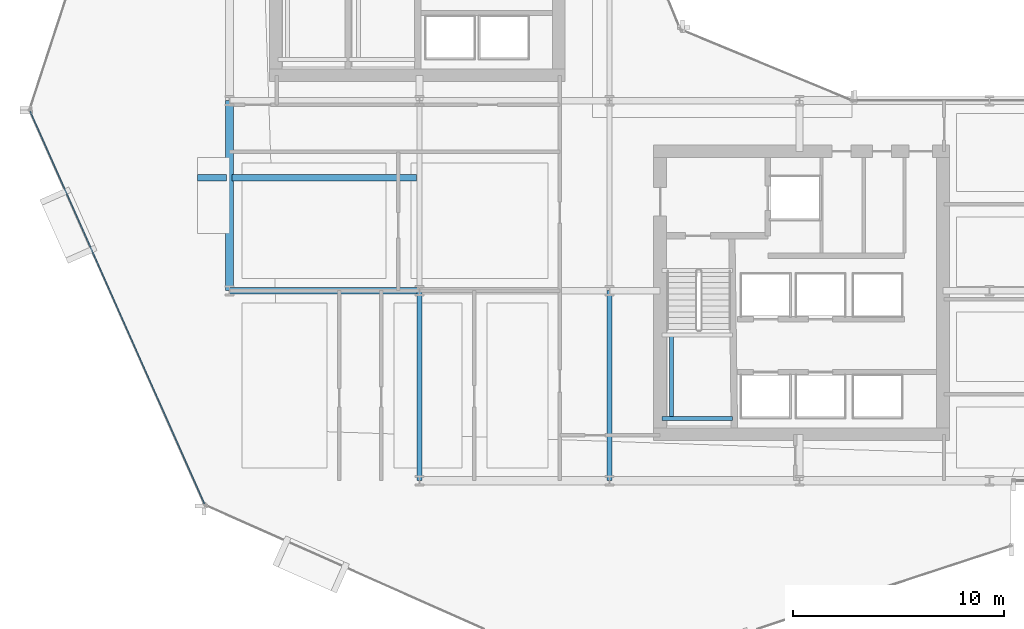
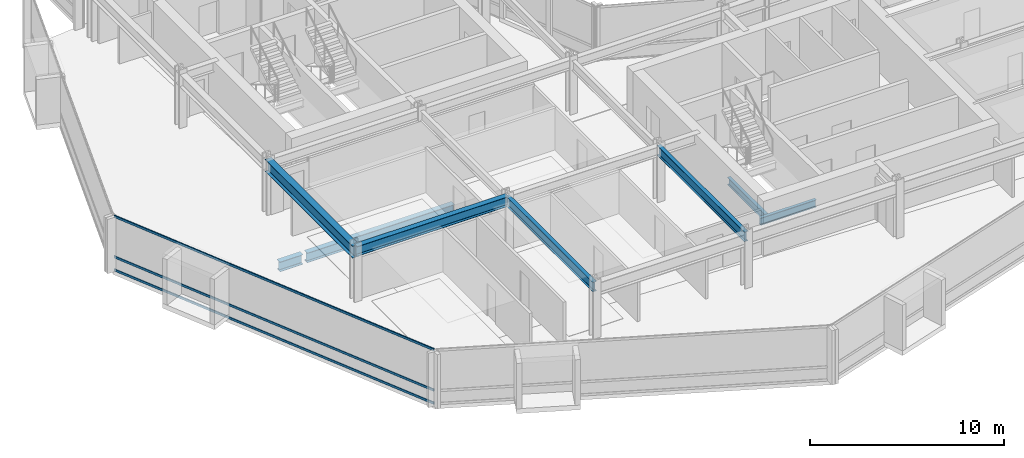
# One storey, part 5 of 34: 8 beams, 3 members, 1 element without a shape of its own.
"""IFC4 building model written with IfcOpenShell, lengths in metres."""

from ifc_helpers import new_model, si_unit, direction, frame, origin, origin_2d, place, context, subcontext, project, spatial, hollow_rectangle, i_section, extrude, material, layer, layer_set, material_profile, profile_set, type_object, element, aggregate, save


model = new_model("IFC4")

# Units and contexts
model_context = context("Model", 3, precision=1e-05, world=origin(), true_north=direction((0.0, 1.0)))
body_context = subcontext(model_context, "Body", "Model", "MODEL_VIEW")
ifc_project = project(units=[si_unit("LENGTHUNIT", "METRE"), si_unit("AREAUNIT", "SQUARE_METRE"), si_unit("VOLUMEUNIT", "CUBIC_METRE"), si_unit("PLANEANGLEUNIT", "RADIAN"), si_unit("MASSUNIT", "GRAM", prefix="KILO")], contexts=[model_context])

# Site, building, storey
site_placement = place(None, origin())
site = spatial("IfcSite", under=ifc_project, at=site_placement, CompositionType="ELEMENT")
building_placement = place(site_placement, origin())
building = spatial("IfcBuilding", under=site, at=building_placement, Name="Solvaryn Broadcast Tower", CompositionType="ELEMENT")
storey_placement = place(building_placement, frame((0.0, 0.0, 50.800048828125)))
storey = spatial("IfcBuildingStorey", under=building, at=storey_placement, Name="L11", CompositionType="ELEMENT", Elevation=50.800048828125)

# Beams
ifc_material_1 = material(Name="Steel ASTM A992 Grade 50", Category="steel")
ifc_material_profile_1 = material_profile(ifc_material_1, i_section(OverallWidth=0.323974609375, OverallDepth=0.611083984375, WebThickness=0.0126953125, FlangeThickness=0.01904296875, FilletRadius=0.014892578125, at=origin_2d()))
ifc_profile_set_1 = profile_set([ifc_material_profile_1], Name="Steel ASTM A992 Grade 50")
beam_type_1 = type_object("IfcBeamType", Name="BM-B1-W24X104", PredefinedType="BEAM", material=ifc_profile_set_1)
beam_1_placement = place(storey_placement, frame((17.875, 23.35009765625, -0.58544921875), z_axis=(-1.0, 0.0, 0.0), x_axis=(0.0, -1.0, 0.0)))
element("IfcBeam", 1, at=beam_1_placement, inside=storey, type_object=beam_type_1, Name="L11 Bay-Box Back-Span Beam 1", PredefinedType="BEAM", context=body_context, shape_type="SweptSolid", body=[
    extrude(i_section(OverallWidth=0.323974609375, OverallDepth=0.611083984375, WebThickness=0.0126953125, FlangeThickness=0.01904296875, FilletRadius=0.014892578125, at=origin_2d()), origin(), (0.0, 0.0, 1.0), 8.75),
])
beam_2_placement = place(storey_placement, frame((9.0, 18.0, 3.114501953125), z_axis=(1.0, 0.0, 0.0), x_axis=(0.0, 1.0, 0.0)))
element("IfcBeam", 2, at=beam_2_placement, inside=storey, type_object=beam_type_1, Name="L11 Primary Beam X (9-18 @ Y=18)", PredefinedType="BEAM", context=body_context, shape_type="SweptSolid", body=[
    extrude(i_section(OverallWidth=0.323974609375, OverallDepth=0.611083984375, WebThickness=0.0126953125, FlangeThickness=0.01904296875, FilletRadius=0.014892578125, at=origin_2d()), origin(), (0.0, 0.0, 1.0), 9.0),
])
ifc_material_2 = material(Name="Steel ASTM A992 Grade 50", Category="steel")
ifc_material_profile_2 = material_profile(ifc_material_2, i_section(OverallWidth=0.22802734375, OverallDepth=0.60791015625, WebThickness=0.01123046875, FlangeThickness=0.017333984375, FilletRadius=0.014892578125, at=origin_2d()))
ifc_profile_set_2 = profile_set([ifc_material_profile_2], Name="Steel ASTM A992 Grade 50")
beam_type_2 = type_object("IfcBeamType", Name="BM-B2-W24X76", PredefinedType="BEAM", material=ifc_profile_set_2)
for number, where, z_axis, x_axis, name in (
    (3, (18.0, 9.0, 3.115966796875), (0.0, 1.0, 0.0), (-1.0, 0.0, 0.0), "L11 Primary Beam Y (9-18 @ X=18)"),
    (4, (27.0, 9.0, 3.115966796875), (0.0, 1.0, 0.0), (-1.0, 0.0, 0.0), "L11 Primary Beam Y (9-18 @ X=27)"),
):
    element("IfcBeam", number, at=place(storey_placement, frame(where, z_axis=z_axis, x_axis=x_axis)), inside=storey, type_object=beam_type_2, Name=name, PredefinedType="BEAM", context=body_context, shape_type="SweptSolid", body=[
        extrude(i_section(OverallWidth=0.22802734375, OverallDepth=0.60791015625, WebThickness=0.01123046875, FlangeThickness=0.017333984375, FilletRadius=0.014892578125, at=origin_2d()), origin(), (0.0, 0.0, 1.0), 9.0),
    ])
ifc_material_3 = material(Name="Steel ASTM A992 Grade 50", Category="steel")
ifc_material_profile_3 = material_profile(ifc_material_3, i_section(OverallWidth=0.18994140625, OverallDepth=0.45703125, WebThickness=0.009033203125, FlangeThickness=0.014404296875, FilletRadius=0.011962890625, at=origin_2d()))
ifc_profile_set_3 = profile_set([ifc_material_profile_3], Name="Steel ASTM A992 Grade 50")
beam_type_3 = type_object("IfcBeamType", Name="BM-B4-W18X50", PredefinedType="BEAM", material=ifc_profile_set_3)
beam_3_placement = place(storey_placement, frame((29.5, 11.949951171875, 1.42138671875), z_axis=(1.0, 0.0, 0.0), x_axis=(0.0, 1.0, 0.0)))
element("IfcBeam", 5, at=beam_3_placement, inside=storey, type_object=beam_type_3, Name="L11 ST3 Landing Support Beam 1A", PredefinedType="BEAM", context=body_context, shape_type="SweptSolid", body=[
    extrude(i_section(OverallWidth=0.18994140625, OverallDepth=0.45703125, WebThickness=0.009033203125, FlangeThickness=0.014404296875, FilletRadius=0.011962890625, at=origin_2d()), origin(), (0.0, 0.0, 1.0), 3.320068359375),
])
beam_4_placement = place(storey_placement, frame((29.949951171875, 11.949951171875, 1.42138671875), z_axis=(0.0, 1.0, 0.0), x_axis=(-1.0, 0.0, 0.0)))
element("IfcBeam", 6, at=beam_4_placement, inside=storey, type_object=beam_type_3, Name="L11 ST3 Landing Cross Stringer 1C", PredefinedType="BEAM", context=body_context, shape_type="SweptSolid", body=[
    extrude(i_section(OverallWidth=0.18994140625, OverallDepth=0.45703125, WebThickness=0.009033203125, FlangeThickness=0.014404296875, FilletRadius=0.011962890625, at=origin_2d()), origin(), (0.0, 0.0, 1.0), 3.9599609375),
])
ifc_material_4 = material(Name="Steel ASTM A992 Grade 50", Category="steel")
ifc_material_profile_4 = material_profile(ifc_material_4, i_section(OverallWidth=0.323974609375, OverallDepth=0.611083984375, WebThickness=0.0126953125, FlangeThickness=0.01904296875, FilletRadius=0.014892578125, at=origin_2d()))
ifc_profile_set_4 = profile_set([ifc_material_profile_4], Name="Steel ASTM A992 Grade 50")
beam_type_4 = type_object("IfcBeamType", Name="BM-CANT-TER", PredefinedType="BEAM", material=ifc_profile_set_4)
beam_5_placement = place(storey_placement, frame((8.875, 23.35009765625, -0.58544921875), z_axis=(-1.0, 0.0, 0.0), x_axis=(0.0, -1.0, 0.0)))
element("IfcBeam", 7, at=beam_5_placement, inside=storey, type_object=beam_type_4, Name="L11 Bay-Box Cantilever Bracket 1", PredefinedType="BEAM", context=body_context, shape_type="SweptSolid", body=[
    extrude(i_section(OverallWidth=0.323974609375, OverallDepth=0.611083984375, WebThickness=0.0126953125, FlangeThickness=0.01904296875, FilletRadius=0.014892578125, at=origin_2d()), origin(), (0.0, 0.0, 1.0), 1.375),
])
ifc_material_5 = material(Name="Steel ASTM A992 Grade 50", Category="steel")
ifc_material_profile_5 = material_profile(ifc_material_5, i_section(OverallWidth=0.381103515625, OverallDepth=0.77294921875, WebThickness=0.0166015625, FlangeThickness=0.027099609375, FilletRadius=0.01806640625, at=origin_2d()))
ifc_profile_set_5 = profile_set([ifc_material_profile_5], Name="Steel ASTM A992 Grade 50")
beam_type_5 = type_object("IfcBeamType", Name="BM-SP1-W30X173", PredefinedType="USERDEFINED", material=ifc_profile_set_5)
beam_6_placement = place(storey_placement, frame((9.0, 18.0, 3.033447265625), z_axis=(0.0, 1.0, 0.0), x_axis=(-1.0, 0.0, 0.0)))
element("IfcBeam", 8, at=beam_6_placement, inside=storey, type_object=beam_type_5, Name="L11 Spandrel Beam Y (18-27 @ X=9)", ObjectType="SPANDREL", PredefinedType="USERDEFINED", context=body_context, shape_type="SweptSolid", body=[
    extrude(i_section(OverallWidth=0.381103515625, OverallDepth=0.77294921875, WebThickness=0.0166015625, FlangeThickness=0.027099609375, FilletRadius=0.01806640625, at=origin_2d()), origin(), (0.0, 0.0, 1.0), 9.0),
])

# Curtain wall, members
ifc_material_6 = material(Name="Aluminium and Terracotta Unitised Curtain Wall", Category="masonry")
ifc_layer = layer(ifc_material_6, 0.199951171875)
ifc_layer_set = layer_set([ifc_layer], Name="CW-SYS2-LOWMID")
curtain_wall_type = type_object("IfcCurtainWallType", Name="CW-SYS2-LOWMID", PredefinedType="NOTDEFINED", material=ifc_layer_set)
curtain_wall_placement = place(storey_placement, origin())
curtain_wall = element("IfcCurtainWall", 9, at=curtain_wall_placement, inside=storey, type_object=curtain_wall_type, Name="L11 Curtain Wall DR2", PredefinedType="NOTDEFINED")
ifc_material_7 = material(Name="Anodised Aluminium 6063-T6", Category="aluminium")
ifc_material_profile_6 = material_profile(ifc_material_7, hollow_rectangle(XDim=0.06494140625, YDim=0.14990234375, WallThickness=0.00390625, InnerFilletRadius=0.00390625, OuterFilletRadius=0.008056640625, at=origin_2d()))
ifc_profile_set_6 = profile_set([ifc_material_profile_6], Name="Anodised Aluminium 6063-T6")
member_type = type_object("IfcMemberType", Name="CW-TRN-150", PredefinedType="USERDEFINED", material=ifc_profile_set_6)
member_1_placement = place(storey_placement, frame((-0.439697265625, 26.505126953125, 0.030029296875), z_axis=(0.405905872269, -0.913914888191, 0.0), x_axis=(0.913914888191, 0.405905872269, 0.0)))
member_1 = element("IfcMember", 10, at=member_1_placement, type_object=member_type, Name="CWS2 transom 1.1", ObjectType="TRANSOM", PredefinedType="USERDEFINED", context=body_context, shape_type="SweptSolid", body=[
    extrude(hollow_rectangle(XDim=0.06494140625, YDim=0.14990234375, WallThickness=0.00390625, InnerFilletRadius=0.00390625, OuterFilletRadius=0.008056640625, at=origin_2d()), origin(), (0.0, 0.0, 1.0), 20.35546875),
])
member_2_placement = place(storey_placement, frame((-0.439697265625, 26.505126953125, 0.849853515625), z_axis=(0.405905872269, -0.913914888191, 0.0), x_axis=(0.913914888191, 0.405905872269, 0.0)))
member_2 = element("IfcMember", 11, at=member_2_placement, type_object=member_type, Name="CWS2 transom 1.2", ObjectType="TRANSOM", PredefinedType="USERDEFINED", context=body_context, shape_type="SweptSolid", body=[
    extrude(hollow_rectangle(XDim=0.06494140625, YDim=0.14990234375, WallThickness=0.00390625, InnerFilletRadius=0.00390625, OuterFilletRadius=0.008056640625, at=origin_2d()), origin(), (0.0, 0.0, 1.0), 20.35546875),
])
member_3_placement = place(storey_placement, frame((-0.439697265625, 26.505126953125, 3.389892578125), z_axis=(0.405905872269, -0.913914888191, 0.0), x_axis=(0.913914888191, 0.405905872269, 0.0)))
member_3 = element("IfcMember", 12, at=member_3_placement, type_object=member_type, Name="CWS2 transom 1.3", ObjectType="TRANSOM", PredefinedType="USERDEFINED", context=body_context, shape_type="SweptSolid", body=[
    extrude(hollow_rectangle(XDim=0.06494140625, YDim=0.14990234375, WallThickness=0.00390625, InnerFilletRadius=0.00390625, OuterFilletRadius=0.008056640625, at=origin_2d()), origin(), (0.0, 0.0, 1.0), 20.35546875),
])
aggregate(curtain_wall, [member_1, member_2, member_3])

save(model, "model.ifc")
